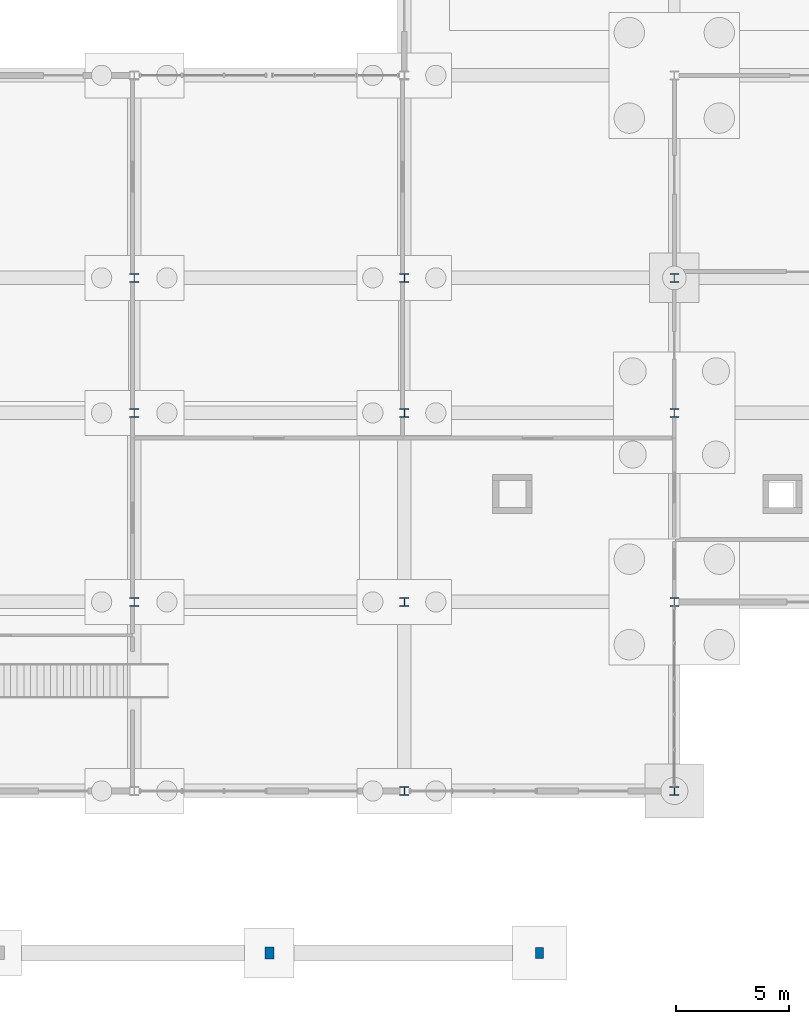
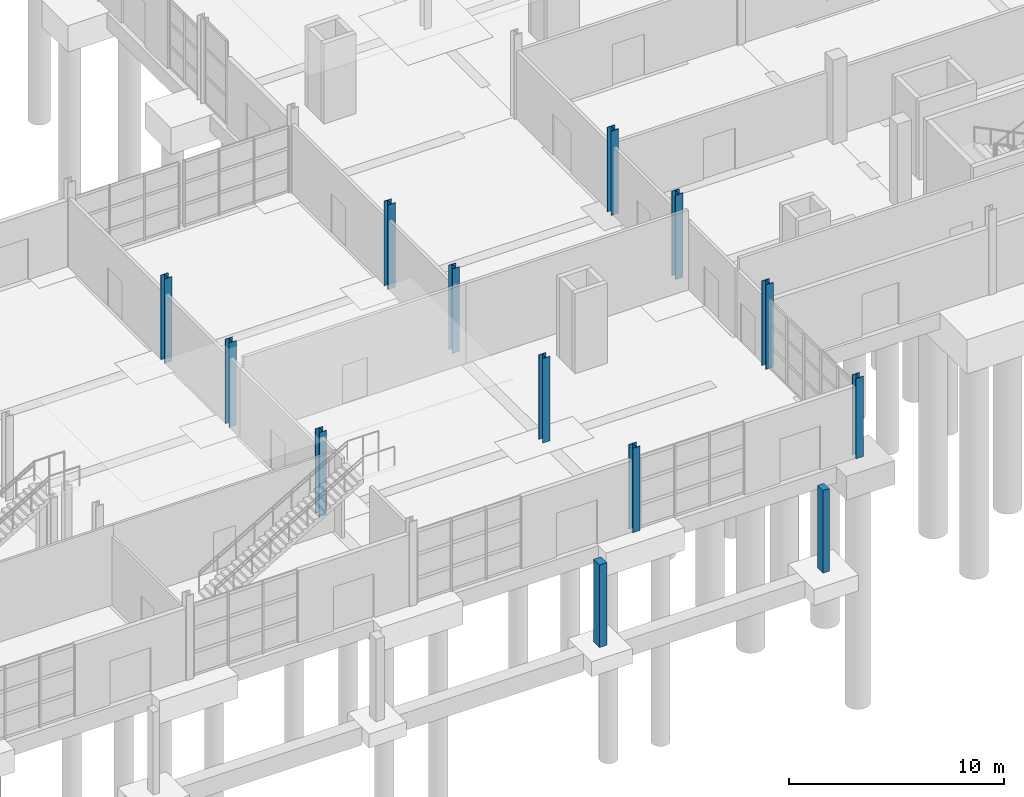
# One storey, part 11 of 82: 13 columns.
"""IFC4 building model written with IfcOpenShell, lengths in metres."""

import ifcopenshell
import ifcopenshell.guid

model = None  # the IFC model being written
_history = None  # IfcOwnerHistory: only IFC2X3 demands one
_inside = {}  # id of a spatial element -> (the spatial element, [elements in it])
_under = {}  # id of a project, library or spatial element -> (it, [spatial elements below it])
_declared = {}  # id of a project -> (the project, [libraries it declares])
_typed = {}  # id of a type object -> (the type object, [elements of that type])
_made_of = {}  # id of a material, layer set ... -> (it, [elements and type objects made of it])


def new_model(schema):
    """Start an empty IFC model of exactly this schema.

    Asked for "IFC4X3", IfcOpenShell would pick the latest addendum, in which some entities
    have other attributes; the version numbers below select the first issue.
    IFC2X3 requires an IfcOwnerHistory on every rooted entity: one is made here for all.
    """
    global model, _history
    if schema == "IFC4X3":
        model = ifcopenshell.file(schema_version=(4, 3, 0, 0))
    else:
        model = ifcopenshell.file(schema=schema)
    _inside.clear()
    _under.clear()
    _declared.clear()
    _typed.clear()
    _made_of.clear()
    _history = None
    if model.schema == "IFC2X3":
        org = make("IfcOrganization", Name="unknown")
        user = make(
            "IfcPersonAndOrganization",
            ThePerson=make("IfcPerson", FamilyName="unknown"),
            TheOrganization=org,
        )
        app = make(
            "IfcApplication",
            ApplicationDeveloper=org,
            Version="unknown",
            ApplicationFullName="unknown",
            ApplicationIdentifier="unknown",
        )
        _history = make(
            "IfcOwnerHistory",
            OwningUser=user,
            OwningApplication=app,
            ChangeAction="ADDED",
            CreationDate=0,
        )
    return model


def make(cls, **values):
    """One entity of the class cls with the attributes given. An attribute that is None is left unset."""
    return model.create_entity(
        cls, **{name: value for name, value in values.items() if value is not None}
    )


def rooted(cls, **values):
    """An entity with a GlobalId (a new one), such as an element, a storey or a relation."""
    return make(cls, GlobalId=ifcopenshell.guid.new(), OwnerHistory=_history, **values)


def si_unit(unit_type, name, prefix=None):
    """IfcSIUnit, for example si_unit("LENGTHUNIT", "METRE", prefix="MILLI")."""
    return make("IfcSIUnit", UnitType=unit_type, Prefix=prefix, Name=name)


def assignment(units):
    """IfcUnitAssignment: the units of a project."""
    return None if units is None else make("IfcUnitAssignment", Units=units)


def point(xyz):
    """IfcCartesianPoint."""
    return None if xyz is None else make("IfcCartesianPoint", Coordinates=xyz)


def direction(xyz):
    """IfcDirection."""
    return None if xyz is None else make("IfcDirection", DirectionRatios=xyz)


def frame(location, z_axis=None, x_axis=None):
    """IfcAxis2Placement3D, a coordinate frame: its origin and axes. An axis left out is left unset."""
    return make(
        "IfcAxis2Placement3D",
        Location=point(location),
        Axis=direction(z_axis),
        RefDirection=direction(x_axis),
    )


def frame_2d(location, x_axis=None):
    """IfcAxis2Placement2D, a coordinate frame in the plane: its origin and x axis."""
    return make(
        "IfcAxis2Placement2D", Location=point(location), RefDirection=direction(x_axis)
    )


def origin():
    """The frame at (0, 0, 0) with its axes left unset."""
    return frame((0.0, 0.0, 0.0))


def origin_2d():
    """The frame at (0, 0) in the plane with its x axis left unset."""
    return frame_2d((0.0, 0.0))


def place(relative_to, where):
    """IfcLocalPlacement: puts the frame where relative to a parent placement (None: the world)."""
    return make(
        "IfcLocalPlacement", PlacementRelTo=relative_to, RelativePlacement=where
    )


def context(
    kind, dimensions, precision=None, world=None, true_north=None, identifier=None
):
    """IfcGeometricRepresentationContext, for example the 3D "Model" context."""
    return make(
        "IfcGeometricRepresentationContext",
        ContextIdentifier=identifier,
        ContextType=kind,
        CoordinateSpaceDimension=dimensions,
        Precision=precision,
        WorldCoordinateSystem=world,
        TrueNorth=true_north,
    )


def subcontext(parent, identifier, kind, view, scale=None):
    """IfcGeometricRepresentationSubContext, for example "Body" below "Model"."""
    return make(
        "IfcGeometricRepresentationSubContext",
        ContextIdentifier=identifier,
        ContextType=kind,
        ParentContext=parent,
        TargetScale=scale,
        TargetView=view,
    )


def project(units=None, contexts=None):
    """IfcProject with its units and contexts."""
    return rooted(
        "IfcProject",
        Name="project",
        RepresentationContexts=contexts,
        UnitsInContext=assignment(units),
    )


def spatial(cls, under=None, at=None, **own):
    """A site, building, storey or space (cls), placed at a placement, below another one or the project."""
    s = rooted(cls, ObjectPlacement=at, **own)
    if under is not None:
        _under.setdefault(under.id(), (under, []))[1].append(s)
    return s


def profile(cls, at=None, kind="AREA", **sizes):
    """A parametric profile (cls). Its sizes go by their IFC names, for example OverallWidth=200.0."""
    return make(cls, ProfileType=kind, Position=at, **sizes)


def rectangle(**sizes):
    """IfcRectangleProfileDef."""
    return profile("IfcRectangleProfileDef", **sizes)


def i_section(**sizes):
    """IfcIShapeProfileDef."""
    return profile("IfcIShapeProfileDef", **sizes)


def extrude(swept, where, along, depth):
    """IfcExtrudedAreaSolid: the profile swept, set in the frame where, extruded along a direction by depth."""
    return make(
        "IfcExtrudedAreaSolid",
        SweptArea=swept,
        Position=where,
        ExtrudedDirection=direction(along),
        Depth=depth,
    )


def shape(context_of_items, identifier, shape_type, items):
    """IfcShapeRepresentation: the items that make up one representation, for example the "Body"."""
    return make(
        "IfcShapeRepresentation",
        ContextOfItems=context_of_items,
        RepresentationIdentifier=identifier,
        RepresentationType=shape_type,
        Items=items,
    )


def material(Name=None, Category=None):
    """IfcMaterial."""
    return make("IfcMaterial", Name=Name, Category=Category)


def material_profile(
    of_material, cross_section, Name=None, Category=None, Priority=None
):
    """IfcMaterialProfile: a cross section and its material."""
    return make(
        "IfcMaterialProfile",
        Name=Name,
        Material=of_material,
        Profile=cross_section,
        Priority=Priority,
        Category=Category,
    )


def profile_set(profiles, Name=None, composite=None):
    """IfcMaterialProfileSet."""
    return make(
        "IfcMaterialProfileSet",
        Name=Name,
        MaterialProfiles=profiles,
        CompositeProfile=composite,
    )


def made_of(thing, what):
    """Note that an element or type object is made of a material, layer set ...; save() writes the relation."""
    if what is not None:
        _made_of.setdefault(what.id(), (what, []))[1].append(thing)
    return thing


def type_object(cls, material=None, **own):
    """A type object (cls), such as IfcWallType, which elements share."""
    return made_of(rooted(cls, **own), material)


def element(
    cls,
    number,
    at=None,
    inside=None,
    cuts=None,
    type_object=None,
    material=None,
    context=None,
    identifier="Body",
    shape_type=None,
    held_by="IfcProductDefinitionShape",
    body=None,
    shapes=None,
    **own,
):
    """One element of the class cls, such as IfcWall. Its Tag is "e" and its number.

    at: its placement. inside: the storey or other place that contains it. cuts: it is an
    opening in that element (IfcRelVoidsElement). A single representation is given by context,
    identifier, shape_type and body (its items); several are given by shapes. held_by: the class
    of the entity that holds the representations. save() writes the other relations.
    """
    e = rooted(cls, Tag="e%d" % number, ObjectPlacement=at, **own)
    if body is not None:
        shapes = [shape(context, identifier, shape_type, body)]
    if shapes is not None:
        e.Representation = make(held_by, Representations=shapes)
    if inside is not None:
        _inside.setdefault(inside.id(), (inside, []))[1].append(e)
    if cuts is not None:
        rooted(
            "IfcRelVoidsElement", RelatingBuildingElement=cuts, RelatedOpeningElement=e
        )
    if type_object is not None:
        _typed.setdefault(type_object.id(), (type_object, []))[1].append(e)
    return made_of(e, material)


def aggregate(whole, parts):
    """IfcRelAggregates: a whole, such as a stair, and the parts it consists of."""
    return rooted("IfcRelAggregates", RelatingObject=whole, RelatedObjects=parts)


def save(model, path):
    """Write the relations noted so far, then the file.

    IfcRelAggregates (storeys below a building ...), IfcRelContainedInSpatialStructure (elements
    in a storey), IfcRelDefinesByType, IfcRelAssociatesMaterial and IfcRelDeclares: one each for
    every whole, place, type object, material and project.
    """
    for whole, parts in _under.values():
        aggregate(whole, parts)
    for where, things in _inside.values():
        rooted(
            "IfcRelContainedInSpatialStructure",
            RelatedElements=things,
            RelatingStructure=where,
        )
    for kind, things in _typed.values():
        rooted("IfcRelDefinesByType", RelatedObjects=things, RelatingType=kind)
    for what, things in _made_of.values():
        rooted("IfcRelAssociatesMaterial", RelatedObjects=things, RelatingMaterial=what)
    for by, libraries in _declared.values():
        rooted("IfcRelDeclares", RelatingContext=by, RelatedDefinitions=libraries)
    model.write(path)


model = new_model("IFC4")

# Units and contexts
model_context = context("Model", 3, precision=1e-05, world=origin(), true_north=direction((0.0, 1.0)))
body_context = subcontext(model_context, "Body", "Model", "MODEL_VIEW")
ifc_project = project(units=[si_unit("LENGTHUNIT", "METRE"), si_unit("AREAUNIT", "SQUARE_METRE"), si_unit("VOLUMEUNIT", "CUBIC_METRE"), si_unit("PLANEANGLEUNIT", "RADIAN"), si_unit("MASSUNIT", "GRAM", prefix="KILO")], contexts=[model_context])

# Site, building, storey
site_placement = place(None, origin())
site = spatial("IfcSite", under=ifc_project, at=site_placement, CompositionType="ELEMENT")
building_placement = place(site_placement, origin())
building = spatial("IfcBuilding", under=site, at=building_placement, Name="Kelmvaro Bay Concert Hall", CompositionType="ELEMENT")
storey_placement = place(building_placement, origin())
storey = spatial("IfcBuildingStorey", under=building, at=storey_placement, Name="L00", CompositionType="ELEMENT", Elevation=0.0)

# Columns
ifc_material_1 = material(Name="Steel ASTM A992 Grade 50", Category="steel")
ifc_material_profile_1 = material_profile(ifc_material_1, i_section(OverallWidth=0.40087890625, OverallDepth=0.39892578125, WebThickness=0.02490234375, FlangeThickness=0.03955078125, at=origin_2d()), Name="W14X211")
ifc_profile_set_1 = profile_set([ifc_material_profile_1], Name="Steel ASTM A992 Grade 50")
column_type_1 = type_object("IfcColumnType", Name="Bridge Anchor Column W14x211", PredefinedType="COLUMN", material=ifc_profile_set_1)
column_1_placement = place(storey_placement, frame((120.0, 15.60009765625, 0.0), z_axis=(0.0, 0.0, 1.0), x_axis=(1.0, 0.0, 0.0)))
element("IfcColumn", 1, at=column_1_placement, inside=storey, type_object=column_type_1, Name="L00 Column V4B-120-156", PredefinedType="COLUMN", context=body_context, shape_type="SweptSolid", body=[
    extrude(i_section(OverallWidth=0.40087890625, OverallDepth=0.39892578125, WebThickness=0.02490234375, FlangeThickness=0.03955078125, at=origin_2d()), origin(), (0.0, 0.0, 1.0), 4.800048828125),
])
ifc_material_2 = material(Name="Steel ASTM A992 Grade 50", Category="steel")
ifc_material_profile_2 = material_profile(ifc_material_2, i_section(OverallWidth=0.40087890625, OverallDepth=0.39404296875, WebThickness=0.022705078125, FlangeThickness=0.03662109375, at=origin_2d()), Name="W14X193")
ifc_profile_set_2 = profile_set([ifc_material_profile_2], Name="Steel ASTM A992 Grade 50")
column_type_2 = type_object("IfcColumnType", Name="Bridge Support Column W14x193", PredefinedType="COLUMN", material=ifc_profile_set_2)
for number, where, z_axis, x_axis, name in (
    (2, (120.0, 24.0, 0.0), (0.0, 0.0, 1.0), (1.0, 0.0, 0.0), "L00 Column V4B-120-240"),
    (3, (120.0, 30.0, 0.0), (0.0, 0.0, 1.0), (1.0, 0.0, 0.0), "L00 Column V4B-120-300"),
):
    element("IfcColumn", number, at=place(storey_placement, frame(where, z_axis=z_axis, x_axis=x_axis)), inside=storey, type_object=column_type_2, Name=name, PredefinedType="COLUMN", context=body_context, shape_type="SweptSolid", body=[
        extrude(i_section(OverallWidth=0.40087890625, OverallDepth=0.39404296875, WebThickness=0.022705078125, FlangeThickness=0.03662109375, at=origin_2d()), origin(), (0.0, 0.0, 1.0), 4.800048828125),
    ])
ifc_material_3 = material(Name="Concrete C40/50", Category="concrete")
ifc_material_profile_3 = material_profile(ifc_material_3, rectangle(XDim=0.39990234375, YDim=0.550048828125, at=origin_2d()), Name="RC-PIL-550X400")
ifc_profile_set_3 = profile_set([ifc_material_profile_3], Name="Concrete C40/50")
column_type_3 = type_object("IfcColumnType", Name="Foyer Acoustic Pilaster RC550x400", PredefinedType="PILASTER", material=ifc_profile_set_3)
column_2_placement = place(storey_placement, frame((102.0, 0.0, 0.0), z_axis=(0.0, 0.0, 1.0), x_axis=(1.0, 0.0, 0.0)))
element("IfcColumn", 4, at=column_2_placement, inside=storey, type_object=column_type_3, Name="L00 Pilaster COL-RW-102", PredefinedType="PILASTER", context=body_context, shape_type="SweptSolid", body=[
    extrude(rectangle(XDim=0.39990234375, YDim=0.550048828125, at=origin_2d()), origin(), (0.0, 0.0, 1.0), 4.68994140625),
])
ifc_material_4 = material(Name="Steel ASTM A992 Grade 50", Category="steel")
ifc_material_profile_4 = material_profile(ifc_material_4, i_section(OverallWidth=0.39599609375, OverallDepth=0.381103515625, WebThickness=0.018798828125, FlangeThickness=0.0302734375, at=origin_2d()), Name="W14X159")
ifc_profile_set_4 = profile_set([ifc_material_profile_4], Name="Steel ASTM A992 Grade 50")
column_type_4 = type_object("IfcColumnType", Name="Foyer Concourse Column W14x159", PredefinedType="COLUMN", material=ifc_profile_set_4)
for number, where, z_axis, x_axis, name in (
    (5, (96.0, 15.60009765625, 0.0), (0.0, 0.0, 1.0), (1.0, 0.0, 0.0), "L00 Column V5S-96-156"),
    (6, (96.0, 24.0, 0.0), (0.0, 0.0, 1.0), (1.0, 0.0, 0.0), "L00 Column V5S-96-240"),
    (7, (96.0, 30.0, 0.0), (0.0, 0.0, 1.0), (1.0, 0.0, 0.0), "L00 Column V5S-96-300"),
    (8, (108.0, 7.199951171875, 0.0), (0.0, 0.0, 1.0), (1.0, 0.0, 0.0), "L00 Column V5S-108-72"),
    (9, (108.0, 15.60009765625, 0.0), (0.0, 0.0, 1.0), (1.0, 0.0, 0.0), "L00 Column V5S-108-156"),
    (10, (108.0, 24.0, 0.0), (0.0, 0.0, 1.0), (1.0, 0.0, 0.0), "L00 Column V5S-108-240"),
    (11, (108.0, 30.0, 0.0), (0.0, 0.0, 1.0), (1.0, 0.0, 0.0), "L00 Column V5S-108-300"),
):
    element("IfcColumn", number, at=place(storey_placement, frame(where, z_axis=z_axis, x_axis=x_axis)), inside=storey, type_object=column_type_4, Name=name, PredefinedType="COLUMN", context=body_context, shape_type="SweptSolid", body=[
        extrude(i_section(OverallWidth=0.39599609375, OverallDepth=0.381103515625, WebThickness=0.018798828125, FlangeThickness=0.0302734375, at=origin_2d()), origin(), (0.0, 0.0, 1.0), 4.800048828125),
    ])
column_3_placement = place(storey_placement, frame((120.0, 7.199951171875, 0.0), z_axis=(0.0, 0.0, 1.0), x_axis=(1.0, 0.0, 0.0)))
element("IfcColumn", 12, at=column_3_placement, inside=storey, type_object=column_type_4, Name="L00 Column V5S-120-72", PredefinedType="COLUMN", context=body_context, shape_type="SweptSolid", body=[
    extrude(i_section(OverallWidth=0.39599609375, OverallDepth=0.381103515625, WebThickness=0.018798828125, FlangeThickness=0.0302734375, at=origin_2d()), origin(), (0.0, 0.0, 1.0), 4.56005859375),
])
ifc_material_5 = material(Name="Concrete C40/50", Category="concrete")
ifc_material_profile_5 = material_profile(ifc_material_5, rectangle(XDim=0.35009765625, YDim=0.5, at=origin_2d()), Name="RC-PIL-500X350")
ifc_profile_set_5 = profile_set([ifc_material_profile_5], Name="Concrete C40/50")
column_type_5 = type_object("IfcColumnType", Name="Stage Wall Pilaster RC500x350", PredefinedType="PILASTER", material=ifc_profile_set_5)
column_4_placement = place(storey_placement, frame((114.0, 0.0, 0.0), z_axis=(0.0, 0.0, 1.0), x_axis=(1.0, 0.0, 0.0)))
element("IfcColumn", 13, at=column_4_placement, inside=storey, type_object=column_type_5, Name="L00 Pilaster COL-RW-114", PredefinedType="PILASTER", context=body_context, shape_type="SweptSolid", body=[
    extrude(rectangle(XDim=0.35009765625, YDim=0.5, at=origin_2d()), origin(), (0.0, 0.0, 1.0), 4.68994140625),
])

save(model, "model.ifc")
